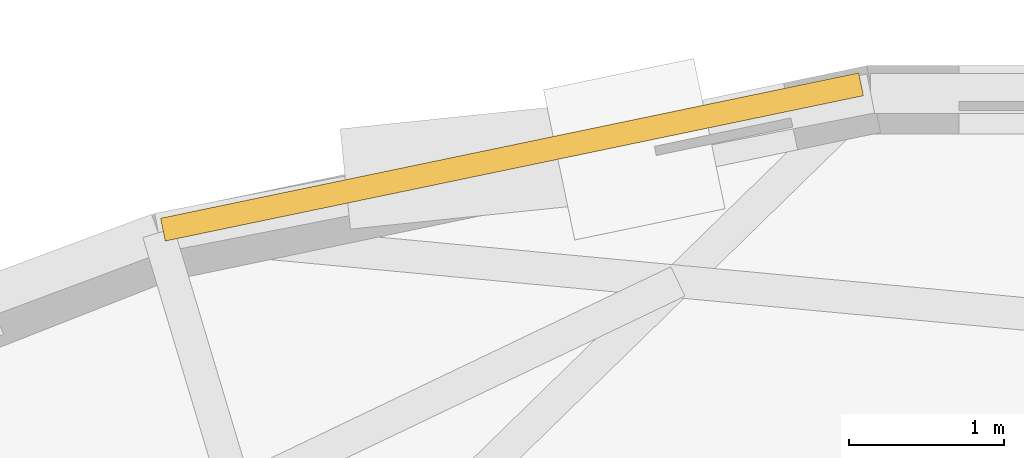
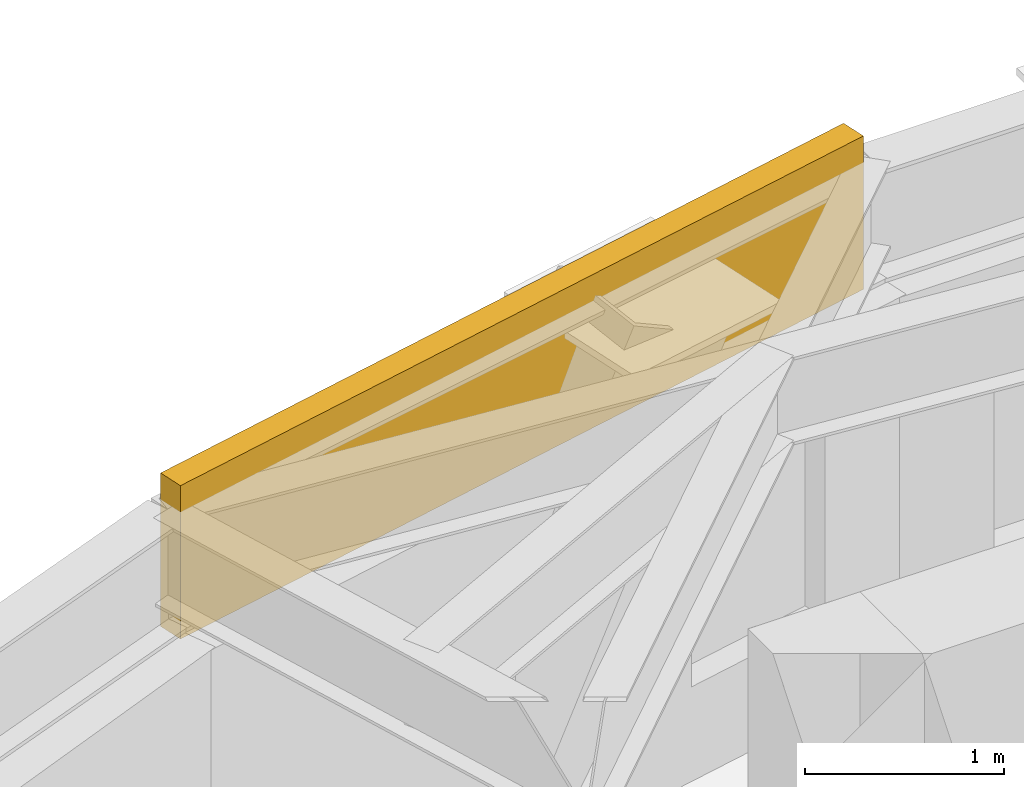
# One storey, part 14 of 14: 1 covering.
"""IFC4 building model written with IfcOpenShell, lengths in metres."""

from ifc_helpers import new_model, si_unit, direction, frame, origin, origin_2d, place, context, subcontext, project, spatial, rectangle, extrude, material, layer, layer_set, type_object, element, save


model = new_model("IFC4")

# Units and contexts
model_context = context("Model", 3, precision=1e-05, world=origin(), true_north=direction((0.0, 1.0)))
body_context = subcontext(model_context, "Body", "Model", "MODEL_VIEW")
ifc_project = project(units=[si_unit("LENGTHUNIT", "METRE"), si_unit("AREAUNIT", "SQUARE_METRE"), si_unit("VOLUMEUNIT", "CUBIC_METRE"), si_unit("PLANEANGLEUNIT", "RADIAN"), si_unit("MASSUNIT", "GRAM", prefix="KILO")], contexts=[model_context])

# Site, building, storey
site_placement = place(None, origin())
site = spatial("IfcSite", under=ifc_project, at=site_placement, CompositionType="ELEMENT")
building_placement = place(site_placement, origin())
building = spatial("IfcBuilding", under=site, at=building_placement, Name="Keldmark Tower", CompositionType="ELEMENT")
storey_placement = place(building_placement, frame((0.0, 0.0, 188.60009765625)))
storey = spatial("IfcBuildingStorey", under=building, at=storey_placement, Name="L52", CompositionType="ELEMENT", Elevation=188.60009765625)

# Covering
ifc_material = material(Name="Honed Kasota Buff Dolomitic Limestone", Category="masonry")
ifc_layer = layer(ifc_material, 0.074951171875)
ifc_layer_set = layer_set([ifc_layer], Name="Honed Kasota Buff Dolomitic Limestone")
covering_type = type_object("IfcCoveringType", Name="Kasota Buff Limestone Spandrel Cladding Band", PredefinedType="CLADDING", material=ifc_layer_set)
covering_placement = place(storey_placement, frame((-4.716796875, 16.128173828125, 2.239013671875), z_axis=(0.0, 0.0, 1.0), x_axis=(-0.979009915383, -0.203812623708, 0.0)))
element("IfcCovering", 1, at=covering_placement, inside=storey, type_object=covering_type, Name="L52 Kasota Limestone Spandrel Band 09", PredefinedType="CLADDING", context=body_context, shape_type="SweptSolid", body=[
    extrude(rectangle(XDim=4.60009765625, YDim=0.14990234375, at=origin_2d()), origin(), (0.0, 0.0, 1.0), 0.94091796875),
])

save(model, "model.ifc")
